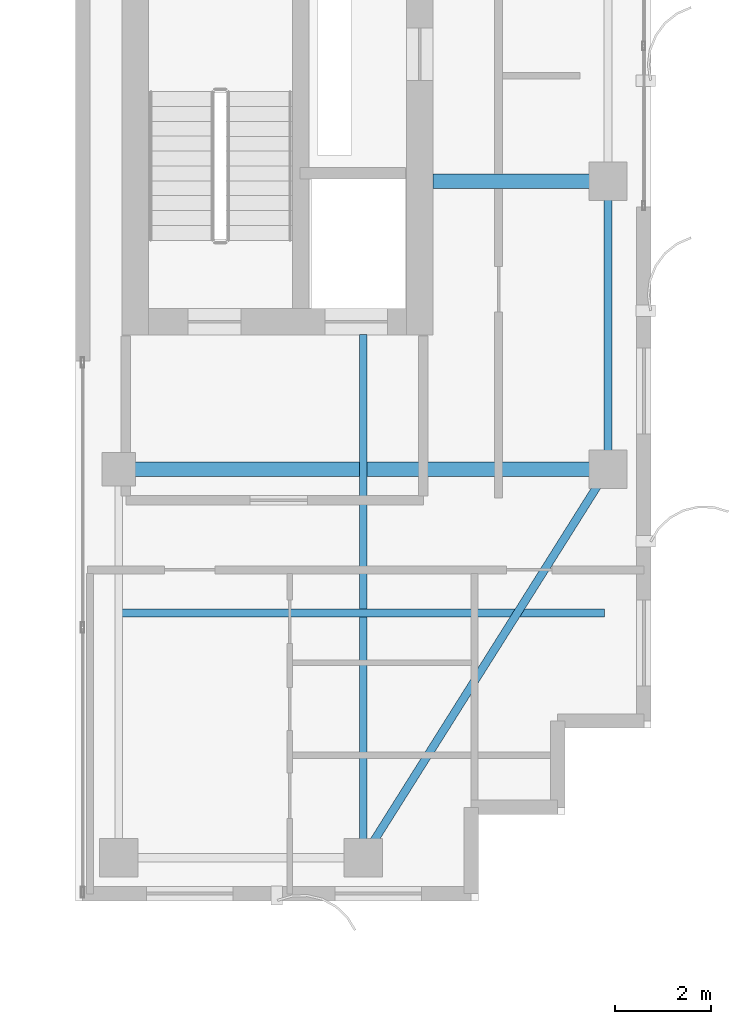
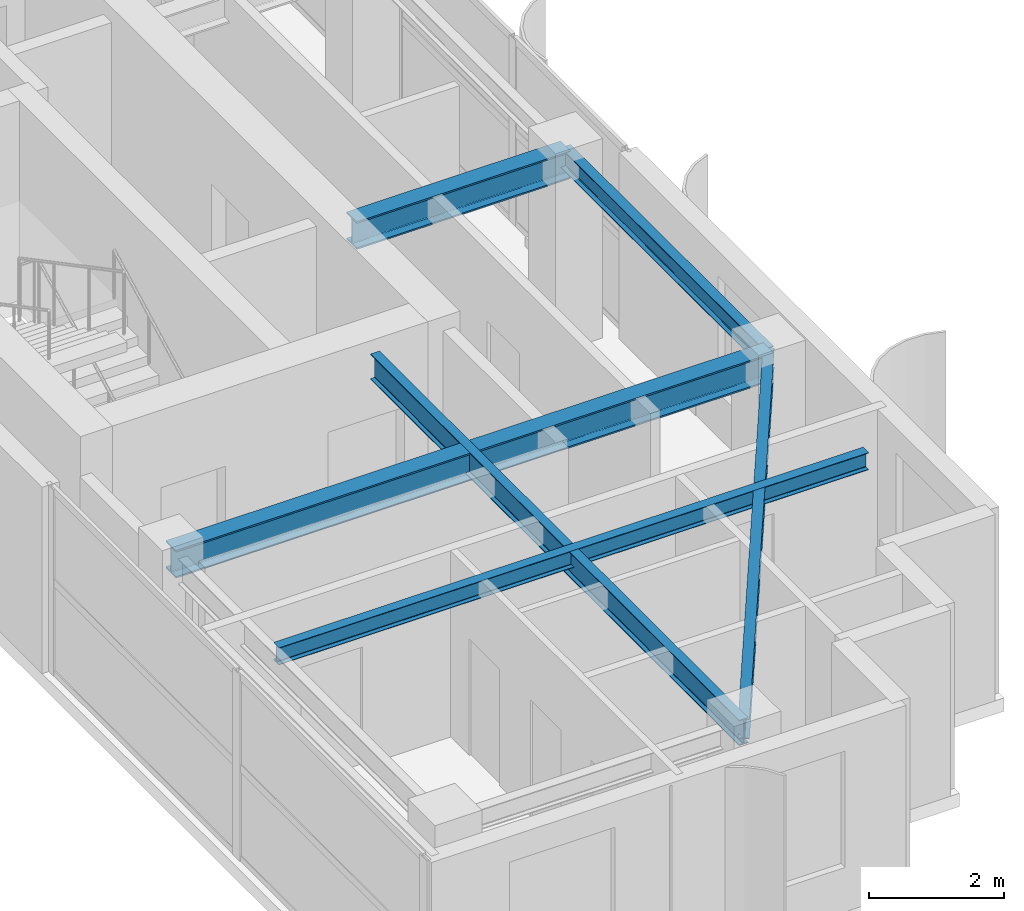
# One storey, part 10 of 23: 6 beams.
"""IFC4 building model written with IfcOpenShell, lengths in metres."""

import ifcopenshell
import ifcopenshell.guid

model = None  # the IFC model being written
_history = None  # IfcOwnerHistory: only IFC2X3 demands one
_inside = {}  # id of a spatial element -> (the spatial element, [elements in it])
_under = {}  # id of a project, library or spatial element -> (it, [spatial elements below it])
_declared = {}  # id of a project -> (the project, [libraries it declares])
_typed = {}  # id of a type object -> (the type object, [elements of that type])
_made_of = {}  # id of a material, layer set ... -> (it, [elements and type objects made of it])


def new_model(schema):
    """Start an empty IFC model of exactly this schema.

    Asked for "IFC4X3", IfcOpenShell would pick the latest addendum, in which some entities
    have other attributes; the version numbers below select the first issue.
    IFC2X3 requires an IfcOwnerHistory on every rooted entity: one is made here for all.
    """
    global model, _history
    if schema == "IFC4X3":
        model = ifcopenshell.file(schema_version=(4, 3, 0, 0))
    else:
        model = ifcopenshell.file(schema=schema)
    _inside.clear()
    _under.clear()
    _declared.clear()
    _typed.clear()
    _made_of.clear()
    _history = None
    if model.schema == "IFC2X3":
        org = make("IfcOrganization", Name="unknown")
        user = make(
            "IfcPersonAndOrganization",
            ThePerson=make("IfcPerson", FamilyName="unknown"),
            TheOrganization=org,
        )
        app = make(
            "IfcApplication",
            ApplicationDeveloper=org,
            Version="unknown",
            ApplicationFullName="unknown",
            ApplicationIdentifier="unknown",
        )
        _history = make(
            "IfcOwnerHistory",
            OwningUser=user,
            OwningApplication=app,
            ChangeAction="ADDED",
            CreationDate=0,
        )
    return model


def make(cls, **values):
    """One entity of the class cls with the attributes given. An attribute that is None is left unset."""
    return model.create_entity(
        cls, **{name: value for name, value in values.items() if value is not None}
    )


def rooted(cls, **values):
    """An entity with a GlobalId (a new one), such as an element, a storey or a relation."""
    return make(cls, GlobalId=ifcopenshell.guid.new(), OwnerHistory=_history, **values)


def si_unit(unit_type, name, prefix=None):
    """IfcSIUnit, for example si_unit("LENGTHUNIT", "METRE", prefix="MILLI")."""
    return make("IfcSIUnit", UnitType=unit_type, Prefix=prefix, Name=name)


def assignment(units):
    """IfcUnitAssignment: the units of a project."""
    return None if units is None else make("IfcUnitAssignment", Units=units)


def point(xyz):
    """IfcCartesianPoint."""
    return None if xyz is None else make("IfcCartesianPoint", Coordinates=xyz)


def direction(xyz):
    """IfcDirection."""
    return None if xyz is None else make("IfcDirection", DirectionRatios=xyz)


def frame(location, z_axis=None, x_axis=None):
    """IfcAxis2Placement3D, a coordinate frame: its origin and axes. An axis left out is left unset."""
    return make(
        "IfcAxis2Placement3D",
        Location=point(location),
        Axis=direction(z_axis),
        RefDirection=direction(x_axis),
    )


def frame_2d(location, x_axis=None):
    """IfcAxis2Placement2D, a coordinate frame in the plane: its origin and x axis."""
    return make(
        "IfcAxis2Placement2D", Location=point(location), RefDirection=direction(x_axis)
    )


def origin():
    """The frame at (0, 0, 0) with its axes left unset."""
    return frame((0.0, 0.0, 0.0))


def origin_2d():
    """The frame at (0, 0) in the plane with its x axis left unset."""
    return frame_2d((0.0, 0.0))


def place(relative_to, where):
    """IfcLocalPlacement: puts the frame where relative to a parent placement (None: the world)."""
    return make(
        "IfcLocalPlacement", PlacementRelTo=relative_to, RelativePlacement=where
    )


def context(
    kind, dimensions, precision=None, world=None, true_north=None, identifier=None
):
    """IfcGeometricRepresentationContext, for example the 3D "Model" context."""
    return make(
        "IfcGeometricRepresentationContext",
        ContextIdentifier=identifier,
        ContextType=kind,
        CoordinateSpaceDimension=dimensions,
        Precision=precision,
        WorldCoordinateSystem=world,
        TrueNorth=true_north,
    )


def subcontext(parent, identifier, kind, view, scale=None):
    """IfcGeometricRepresentationSubContext, for example "Body" below "Model"."""
    return make(
        "IfcGeometricRepresentationSubContext",
        ContextIdentifier=identifier,
        ContextType=kind,
        ParentContext=parent,
        TargetScale=scale,
        TargetView=view,
    )


def project(units=None, contexts=None):
    """IfcProject with its units and contexts."""
    return rooted(
        "IfcProject",
        Name="project",
        RepresentationContexts=contexts,
        UnitsInContext=assignment(units),
    )


def spatial(cls, under=None, at=None, **own):
    """A site, building, storey or space (cls), placed at a placement, below another one or the project."""
    s = rooted(cls, ObjectPlacement=at, **own)
    if under is not None:
        _under.setdefault(under.id(), (under, []))[1].append(s)
    return s


def profile(cls, at=None, kind="AREA", **sizes):
    """A parametric profile (cls). Its sizes go by their IFC names, for example OverallWidth=200.0."""
    return make(cls, ProfileType=kind, Position=at, **sizes)


def i_section(**sizes):
    """IfcIShapeProfileDef."""
    return profile("IfcIShapeProfileDef", **sizes)


def extrude(swept, where, along, depth):
    """IfcExtrudedAreaSolid: the profile swept, set in the frame where, extruded along a direction by depth."""
    return make(
        "IfcExtrudedAreaSolid",
        SweptArea=swept,
        Position=where,
        ExtrudedDirection=direction(along),
        Depth=depth,
    )


def shape(context_of_items, identifier, shape_type, items):
    """IfcShapeRepresentation: the items that make up one representation, for example the "Body"."""
    return make(
        "IfcShapeRepresentation",
        ContextOfItems=context_of_items,
        RepresentationIdentifier=identifier,
        RepresentationType=shape_type,
        Items=items,
    )


def source(mapping_origin, context_of_items, identifier, shape_type, items):
    """IfcRepresentationMap: a shape defined once, which mapped items show again and again."""
    return make(
        "IfcRepresentationMap",
        MappingOrigin=mapping_origin,
        MappedRepresentation=shape(context_of_items, identifier, shape_type, items),
    )


def transform(
    local_origin,
    x_axis=None,
    y_axis=None,
    z_axis=None,
    scale=None,
    scale2=None,
    scale3=None,
    uniform=True,
):
    """IfcCartesianTransformationOperator3D, or its non-uniform kind. x_axis, y_axis, z_axis: its Axis1, 2, 3."""
    if uniform:
        return make(
            "IfcCartesianTransformationOperator3D",
            Axis1=direction(x_axis),
            Axis2=direction(y_axis),
            LocalOrigin=point(local_origin),
            Scale=scale,
            Axis3=direction(z_axis),
        )
    return make(
        "IfcCartesianTransformationOperator3DnonUniform",
        Axis1=direction(x_axis),
        Axis2=direction(y_axis),
        LocalOrigin=point(local_origin),
        Scale=scale,
        Axis3=direction(z_axis),
        Scale2=scale2,
        Scale3=scale3,
    )


def mapped(mapping_source, mapping_target):
    """IfcMappedItem: shows the shape of a source again, moved by a transform."""
    return make(
        "IfcMappedItem", MappingSource=mapping_source, MappingTarget=mapping_target
    )


def material(Name=None, Category=None):
    """IfcMaterial."""
    return make("IfcMaterial", Name=Name, Category=Category)


def material_profile(
    of_material, cross_section, Name=None, Category=None, Priority=None
):
    """IfcMaterialProfile: a cross section and its material."""
    return make(
        "IfcMaterialProfile",
        Name=Name,
        Material=of_material,
        Profile=cross_section,
        Priority=Priority,
        Category=Category,
    )


def profile_set(profiles, Name=None, composite=None):
    """IfcMaterialProfileSet."""
    return make(
        "IfcMaterialProfileSet",
        Name=Name,
        MaterialProfiles=profiles,
        CompositeProfile=composite,
    )


def made_of(thing, what):
    """Note that an element or type object is made of a material, layer set ...; save() writes the relation."""
    if what is not None:
        _made_of.setdefault(what.id(), (what, []))[1].append(thing)
    return thing


def type_object(cls, material=None, **own):
    """A type object (cls), such as IfcWallType, which elements share."""
    return made_of(rooted(cls, **own), material)


def element(
    cls,
    number,
    at=None,
    inside=None,
    cuts=None,
    type_object=None,
    material=None,
    context=None,
    identifier="Body",
    shape_type=None,
    held_by="IfcProductDefinitionShape",
    body=None,
    shapes=None,
    **own,
):
    """One element of the class cls, such as IfcWall. Its Tag is "e" and its number.

    at: its placement. inside: the storey or other place that contains it. cuts: it is an
    opening in that element (IfcRelVoidsElement). A single representation is given by context,
    identifier, shape_type and body (its items); several are given by shapes. held_by: the class
    of the entity that holds the representations. save() writes the other relations.
    """
    e = rooted(cls, Tag="e%d" % number, ObjectPlacement=at, **own)
    if body is not None:
        shapes = [shape(context, identifier, shape_type, body)]
    if shapes is not None:
        e.Representation = make(held_by, Representations=shapes)
    if inside is not None:
        _inside.setdefault(inside.id(), (inside, []))[1].append(e)
    if cuts is not None:
        rooted(
            "IfcRelVoidsElement", RelatingBuildingElement=cuts, RelatedOpeningElement=e
        )
    if type_object is not None:
        _typed.setdefault(type_object.id(), (type_object, []))[1].append(e)
    return made_of(e, material)


def aggregate(whole, parts):
    """IfcRelAggregates: a whole, such as a stair, and the parts it consists of."""
    return rooted("IfcRelAggregates", RelatingObject=whole, RelatedObjects=parts)


def save(model, path):
    """Write the relations noted so far, then the file.

    IfcRelAggregates (storeys below a building ...), IfcRelContainedInSpatialStructure (elements
    in a storey), IfcRelDefinesByType, IfcRelAssociatesMaterial and IfcRelDeclares: one each for
    every whole, place, type object, material and project.
    """
    for whole, parts in _under.values():
        aggregate(whole, parts)
    for where, things in _inside.values():
        rooted(
            "IfcRelContainedInSpatialStructure",
            RelatedElements=things,
            RelatingStructure=where,
        )
    for kind, things in _typed.values():
        rooted("IfcRelDefinesByType", RelatedObjects=things, RelatingType=kind)
    for what, things in _made_of.values():
        rooted("IfcRelAssociatesMaterial", RelatedObjects=things, RelatingMaterial=what)
    for by, libraries in _declared.values():
        rooted("IfcRelDeclares", RelatingContext=by, RelatedDefinitions=libraries)
    model.write(path)


model = new_model("IFC4")

# Units and contexts
model_context = context("Model", 3, precision=1e-05, world=origin(), true_north=direction((0.0, 1.0)))
body_context = subcontext(model_context, "Body", "Model", "MODEL_VIEW")
ifc_project = project(units=[si_unit("LENGTHUNIT", "METRE"), si_unit("AREAUNIT", "SQUARE_METRE"), si_unit("VOLUMEUNIT", "CUBIC_METRE"), si_unit("PLANEANGLEUNIT", "RADIAN"), si_unit("MASSUNIT", "GRAM", prefix="KILO")], contexts=[model_context])

# Site, building, storey
site_placement = place(None, origin())
site = spatial("IfcSite", under=ifc_project, at=site_placement, CompositionType="ELEMENT")
building_placement = place(site_placement, origin())
building = spatial("IfcBuilding", under=site, at=building_placement, Name="Khoralis Quay Care Tower", CompositionType="ELEMENT")
storey_placement = place(building_placement, frame((0.0, 0.0, 245.699951171875)))
storey = spatial("IfcBuildingStorey", under=building, at=storey_placement, Name="L64", CompositionType="ELEMENT", Elevation=245.699951171875)

# Beams
ifc_material = material(Name="Steel S355", Category="steel")
ifc_material_profile_1 = material_profile(ifc_material, i_section(OverallWidth=0.169921875, OverallDepth=0.360107421875, WebThickness=0.008056640625, FlangeThickness=0.0126953125, FilletRadius=0.01806640625, at=origin_2d()), Name="Steel S355")
ifc_profile_set_1 = profile_set([ifc_material_profile_1], Name="Steel S355")
beam_type_1 = type_object("IfcBeamType", Name="BM-IPE360", PredefinedType="SPANDREL", material=ifc_profile_set_1)
shared_shape_1 = source(origin(), body_context, "Body", "SweptSolid", [
    extrude(i_section(OverallWidth=0.169921875, OverallDepth=0.360107421875, WebThickness=0.008056640625, FlangeThickness=0.0126953125, FilletRadius=0.01806640625, at=origin_2d()), origin(), (0.0, 0.0, 1.0), 6.0),
])
beam_1_placement = place(storey_placement, frame((41.10009765625, 12.0, 3.179931640625), z_axis=(0.0, 1.0, 0.0), x_axis=(-1.0, 0.0, 0.0)))
element("IfcBeam", 1, at=beam_1_placement, inside=storey, type_object=beam_type_1, Name="BM-TSP-L64-09", PredefinedType="SPANDREL", context=body_context, shape_type="MappedRepresentation", body=[
    mapped(shared_shape_1, transform((0.0, 0.0, 0.0), scale=1.0)),
])
shared_shape_2 = source(origin(), body_context, "Body", "SweptSolid", [
    extrude(i_section(OverallWidth=0.169921875, OverallDepth=0.360107421875, WebThickness=0.008056640625, FlangeThickness=0.0126953125, FilletRadius=0.01806640625, at=origin_2d()), origin(), (0.0, 0.0, 1.0), 9.572021484375),
])
beam_2_placement = place(storey_placement, frame((36.0, 3.89990234375, 3.179931640625), z_axis=(0.532815975602, 0.846231136359, 0.0), x_axis=(-0.846231136359, 0.532815975602, 0.0)))
element("IfcBeam", 2, at=beam_2_placement, inside=storey, type_object=beam_type_1, Name="BM-TCR-L64-14", PredefinedType="SPANDREL", context=body_context, shape_type="MappedRepresentation", body=[
    mapped(shared_shape_2, transform((0.0, 0.0, 0.0), scale=1.0)),
])
ifc_material_profile_2 = material_profile(ifc_material, i_section(OverallWidth=0.300048828125, OverallDepth=0.5, WebThickness=0.014404296875, FlangeThickness=0.028076171875, FilletRadius=0.027099609375, at=origin_2d()), Name="Steel S355")
ifc_profile_set_2 = profile_set([ifc_material_profile_2], Name="Steel S355")
beam_type_2 = type_object("IfcBeamType", Name="BM-HEB500", PredefinedType="BEAM", material=ifc_profile_set_2)
shared_shape_3 = source(origin(), body_context, "Body", "SweptSolid", [
    extrude(i_section(OverallWidth=0.300048828125, OverallDepth=0.5, WebThickness=0.014404296875, FlangeThickness=0.028076171875, FilletRadius=0.027099609375, at=origin_2d()), origin(), (0.0, 0.0, 1.0), 10.2001953125),
])
beam_3_placement = place(storey_placement, frame((30.89990234375, 12.0, 3.110107421875), z_axis=(1.0, 0.0, 0.0), x_axis=(0.0, 1.0, 0.0)))
element("IfcBeam", 3, at=beam_3_placement, inside=storey, type_object=beam_type_2, Name="BM-TGXE-L64-120", PredefinedType="BEAM", context=body_context, shape_type="MappedRepresentation", body=[
    mapped(shared_shape_3, transform((0.0, 0.0, 0.0), scale=1.0)),
])
shared_shape_4 = source(origin(), body_context, "Body", "SweptSolid", [
    extrude(i_section(OverallWidth=0.300048828125, OverallDepth=0.5, WebThickness=0.014404296875, FlangeThickness=0.028076171875, FilletRadius=0.027099609375, at=origin_2d()), origin(), (0.0, 0.0, 1.0), 3.652099609375),
])
beam_4_placement = place(storey_placement, frame((37.447998046875, 18.0, 3.110107421875), z_axis=(1.0, 0.0, 0.0), x_axis=(0.0, 1.0, 0.0)))
element("IfcBeam", 4, at=beam_4_placement, inside=storey, type_object=beam_type_2, Name="BM-TGXE-L64-180", PredefinedType="BEAM", context=body_context, shape_type="MappedRepresentation", body=[
    mapped(shared_shape_4, transform((0.0, 0.0, 0.0), scale=1.0)),
])
ifc_material_profile_3 = material_profile(ifc_material, i_section(OverallWidth=0.154052734375, OverallDepth=0.458984375, WebThickness=0.009033203125, FlangeThickness=0.015380859375, FilletRadius=0.014892578125, at=origin_2d()), Name="Steel S355")
ifc_profile_set_3 = profile_set([ifc_material_profile_3], Name="Steel S355")
beam_type_3 = type_object("IfcBeamType", Name="BM-W460X68", PredefinedType="BEAM", material=ifc_profile_set_3)
shared_shape_5 = source(origin(), body_context, "Body", "SweptSolid", [
    extrude(i_section(OverallWidth=0.154052734375, OverallDepth=0.458984375, WebThickness=0.009033203125, FlangeThickness=0.015380859375, FilletRadius=0.014892578125, at=origin_2d()), origin(), (0.0, 0.0, 1.0), 10.902099609375),
])
beam_5_placement = place(storey_placement, frame((36.0, 3.89990234375, 3.130615234375), z_axis=(0.0, 1.0, 0.0), x_axis=(-1.0, 0.0, 0.0)))
element("IfcBeam", 5, at=beam_5_placement, inside=storey, type_object=beam_type_3, Name="BM-TGYS-L64-360", PredefinedType="BEAM", context=body_context, shape_type="MappedRepresentation", body=[
    mapped(shared_shape_5, transform((0.0, 0.0, 0.0), scale=1.0)),
])
ifc_material_profile_4 = material_profile(ifc_material, i_section(OverallWidth=0.1650390625, OverallDepth=0.31005859375, WebThickness=0.005859375, FlangeThickness=0.009765625, FilletRadius=0.011962890625, at=origin_2d()), Name="Steel S355")
ifc_profile_set_4 = profile_set([ifc_material_profile_4], Name="Steel S355")
beam_type_4 = type_object("IfcBeamType", Name="BM-W310X39", PredefinedType="JOIST", material=ifc_profile_set_4)
shared_shape_6 = source(origin(), body_context, "Body", "SweptSolid", [
    extrude(i_section(OverallWidth=0.1650390625, OverallDepth=0.31005859375, WebThickness=0.005859375, FlangeThickness=0.009765625, FilletRadius=0.011962890625, at=origin_2d()), origin(), (0.0, 0.0, 1.0), 10.06396484375),
])
beam_6_placement = place(storey_placement, frame((30.965087890625, 9.0, 3.205078125), z_axis=(1.0, 0.0, 0.0), x_axis=(0.0, 1.0, 0.0)))
element("IfcBeam", 6, at=beam_6_placement, inside=storey, type_object=beam_type_4, Name="BM-TJS-L64-18", PredefinedType="JOIST", context=body_context, shape_type="MappedRepresentation", body=[
    mapped(shared_shape_6, transform((0.0, 0.0, 0.0), scale=1.0)),
])

save(model, "model.ifc")
